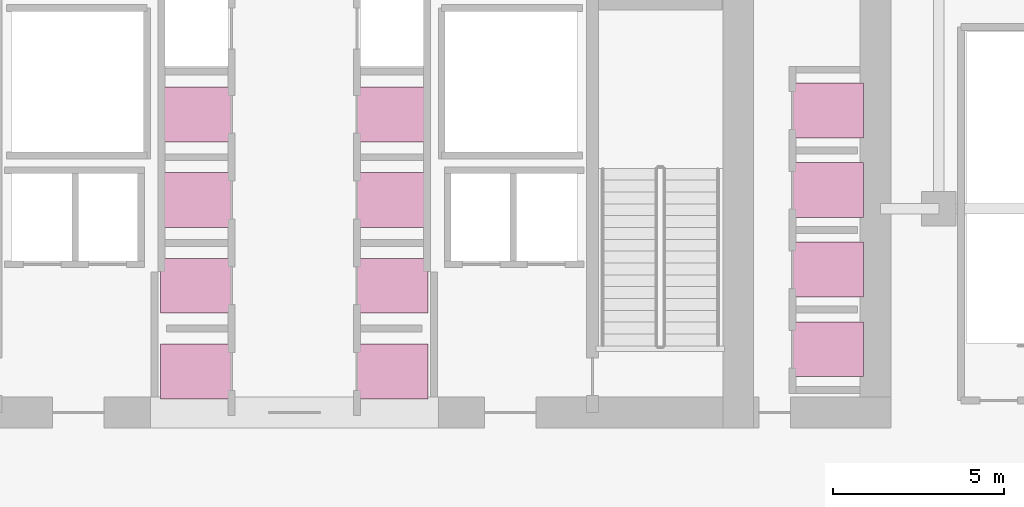
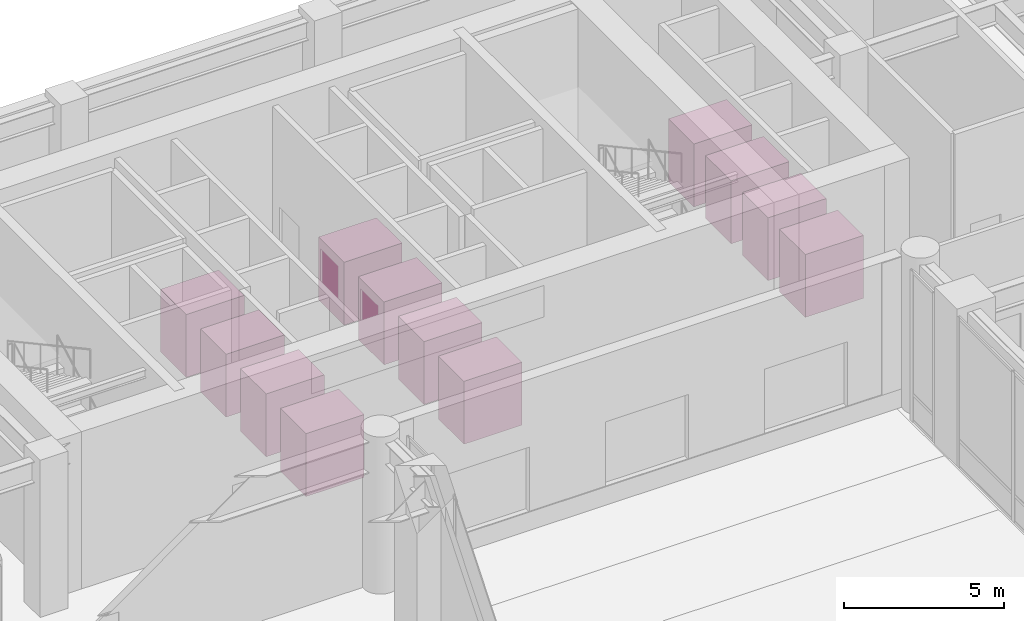
# One storey, part 28 of 28: 12 transport elements.
"""IFC4 building model written with IfcOpenShell, lengths in metres."""

from ifc_helpers import new_model, si_unit, direction, frame, origin, origin_2d, place, context, subcontext, project, spatial, rectangle, extrude, source, transform, mapped, material, type_object, type_shapes, element, save


model = new_model("IFC4")

# Units and contexts
model_context = context("Model", 3, precision=1e-05, world=origin(), true_north=direction((0.0, 1.0)))
body_context = subcontext(model_context, "Body", "Model", "MODEL_VIEW")
ifc_project = project(units=[si_unit("LENGTHUNIT", "METRE"), si_unit("AREAUNIT", "SQUARE_METRE"), si_unit("VOLUMEUNIT", "CUBIC_METRE"), si_unit("PLANEANGLEUNIT", "RADIAN"), si_unit("MASSUNIT", "GRAM", prefix="KILO")], contexts=[model_context])

# Site, building, storey
site_placement = place(None, origin())
site = spatial("IfcSite", under=ifc_project, at=site_placement, CompositionType="ELEMENT")
building_placement = place(site_placement, origin())
building = spatial("IfcBuilding", under=site, at=building_placement, Name="Tolvann Quenvar Hotel", CompositionType="ELEMENT")
storey_placement = place(building_placement, origin())
storey = spatial("IfcBuildingStorey", under=building, at=storey_placement, Name="L00", CompositionType="ELEMENT", Elevation=0.0)

# Transport elements
ifc_material = material(Name="Brushed 316 stainless steel lift car enclosure", Category="steel")
transport_element_type = type_object("IfcTransportElementType", Name="LIFT_PAX_1600", PredefinedType="ELEVATOR", material=ifc_material)
shared_shape = source(origin(), body_context, "Body", "SweptSolid", [
    extrude(rectangle(XDim=2.10009765625, YDim=1.60009765625, at=origin_2d()), origin(), (0.0, 0.0, 1.0), 2.39990234375),
])
type_shapes(transport_element_type, [shared_shape])
for number, where, z_axis, x_axis, name in (
    (1, (20.14990234375, 33.25, 0.0), (0.0, 0.0, 1.0), (1.0, 0.0, 0.0), "Elevator PH-1 (PH Bank)"),
    (2, (20.14990234375, 35.75, 0.0), (0.0, 0.0, 1.0), (1.0, 0.0, 0.0), "Elevator PH-2 (PH Bank)"),
    (3, (25.85009765625, 33.25, 0.0), (0.0, 0.0, 1.0), (1.0, 0.0, 0.0), "Elevator PH-3 (PH Bank)"),
    (4, (25.85009765625, 35.75, 0.0), (0.0, 0.0, 1.0), (1.0, 0.0, 0.0), "Elevator PH-4 (PH Bank)"),
    (5, (20.14990234375, 38.25, 0.0), (0.0, 0.0, 1.0), (1.0, 0.0, 0.0), "Elevator PM-1 (PM Bank)"),
    (6, (20.14990234375, 40.75, 0.0), (0.0, 0.0, 1.0), (1.0, 0.0, 0.0), "Elevator PM-2 (PM Bank)"),
    (7, (25.85009765625, 38.25, 0.0), (0.0, 0.0, 1.0), (1.0, 0.0, 0.0), "Elevator PM-3 (PM Bank)"),
    (8, (25.85009765625, 40.75, 0.0), (0.0, 0.0, 1.0), (1.0, 0.0, 0.0), "Elevator PM-4 (PM Bank)"),
    (9, (38.550048828125, 33.89990234375, 0.0), (0.0, 0.0, 1.0), (1.0, 0.0, 0.0), "Elevator PL-1 (PL Bank)"),
    (10, (38.550048828125, 36.219970703125, 0.0), (0.0, 0.0, 1.0), (1.0, 0.0, 0.0), "Elevator PL-2 (PL Bank)"),
    (11, (38.550048828125, 38.5400390625, 0.0), (0.0, 0.0, 1.0), (1.0, 0.0, 0.0), "Elevator PL-3 (PL Bank)"),
    (12, (38.550048828125, 40.860107421875, 0.0), (0.0, 0.0, 1.0), (1.0, 0.0, 0.0), "Elevator PL-4 (PL Bank)"),
):
    element("IfcTransportElement", number, at=place(storey_placement, frame(where, z_axis=z_axis, x_axis=x_axis)), inside=storey, type_object=transport_element_type, Name=name, PredefinedType="ELEVATOR", context=body_context, shape_type="MappedRepresentation", body=[
        mapped(shared_shape, transform((0.0, 0.0, 0.0), x_axis=(1.0, 0.0, 0.0), y_axis=(0.0, 1.0, 0.0), z_axis=(0.0, 0.0, 1.0), scale=1.0)),
    ])

save(model, "model.ifc")
